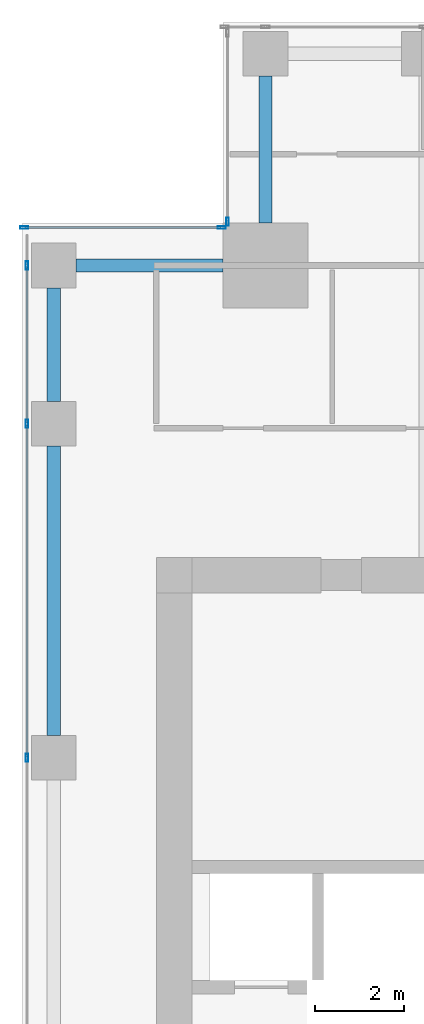
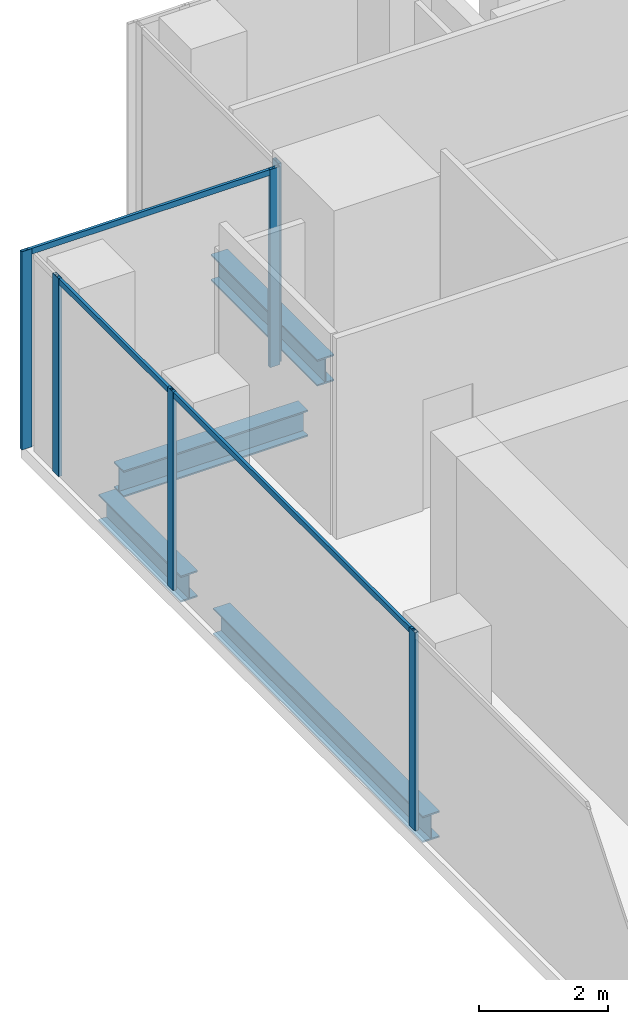
# One storey, part 18 of 37: 9 members, 4 beams, 3 elements without a shape of their own.
"""IFC4 building model written with IfcOpenShell, lengths in metres."""

from ifc_helpers import new_model, si_unit, direction, frame, origin, origin_2d, place, context, subcontext, project, spatial, hollow_rectangle, i_section, extrude, source, transform, mapped, material, material_profile, profile_set, type_object, element, aggregate, save


model = new_model("IFC4")

# Units and contexts
model_context = context("Model", 3, precision=1e-05, world=origin(), true_north=direction((0.0, 1.0)))
body_context = subcontext(model_context, "Body", "Model", "MODEL_VIEW")
ifc_project = project(units=[si_unit("LENGTHUNIT", "METRE"), si_unit("AREAUNIT", "SQUARE_METRE"), si_unit("VOLUMEUNIT", "CUBIC_METRE"), si_unit("PLANEANGLEUNIT", "RADIAN"), si_unit("MASSUNIT", "GRAM", prefix="KILO")], contexts=[model_context])

# Site, building, storey
site_placement = place(None, origin())
site = spatial("IfcSite", under=ifc_project, at=site_placement, CompositionType="ELEMENT")
building_placement = place(site_placement, origin())
building = spatial("IfcBuilding", under=site, at=building_placement, Name="Khomas Fold Tower", CompositionType="ELEMENT")
storey_placement = place(building_placement, frame((0.0, 0.0, 168.699951171875)))
storey = spatial("IfcBuildingStorey", under=building, at=storey_placement, Name="L36", CompositionType="ELEMENT", Elevation=168.699951171875)

# Beams
ifc_material_1 = material(Name="Steel S355", Category="steel")
ifc_material_profile_1 = material_profile(ifc_material_1, i_section(OverallWidth=0.300048828125, OverallDepth=0.5, WebThickness=0.014404296875, FlangeThickness=0.028076171875, at=origin_2d()), Name="HE 500 B")
ifc_profile_set_1 = profile_set([ifc_material_profile_1], Name="Steel S355")
beam_type = type_object("IfcBeamType", Name="HE 500 B spandrel SB3", PredefinedType="SPANDREL", material=ifc_profile_set_1)
shared_shape_1 = source(origin(), body_context, "Body", "SweptSolid", [
    extrude(i_section(OverallWidth=0.300048828125, OverallDepth=0.5, WebThickness=0.014404296875, FlangeThickness=0.028076171875, at=origin_2d()), origin(), (0.0, 0.0, 1.0), 2.550048828125),
])
beam_1_placement = place(storey_placement, frame((3.699951171875, 42.5, -0.5), z_axis=(0.0, 1.0, 0.0), x_axis=(-1.0, 0.0, 0.0)))
element("IfcBeam", 1, at=beam_1_placement, inside=storey, type_object=beam_type, Name="SB3", PredefinedType="SPANDREL", context=body_context, shape_type="MappedRepresentation", body=[
    mapped(shared_shape_1, transform((0.0, 0.0, 0.0))),
])
shared_shape_2 = source(origin(), body_context, "Body", "SweptSolid", [
    extrude(i_section(OverallWidth=0.300048828125, OverallDepth=0.5, WebThickness=0.014404296875, FlangeThickness=0.028076171875, at=origin_2d()), origin(), (0.0, 0.0, 1.0), 6.5),
])
beam_2_placement = place(storey_placement, frame((3.699951171875, 35.0, -0.5), z_axis=(0.0, 1.0, 0.0), x_axis=(-1.0, 0.0, 0.0)))
element("IfcBeam", 2, at=beam_2_placement, inside=storey, type_object=beam_type, Name="SB3", PredefinedType="SPANDREL", context=body_context, shape_type="MappedRepresentation", body=[
    mapped(shared_shape_2, transform((0.0, 0.0, 0.0))),
])
shared_shape_3 = source(origin(), body_context, "Body", "SweptSolid", [
    extrude(i_section(OverallWidth=0.300048828125, OverallDepth=0.5, WebThickness=0.014404296875, FlangeThickness=0.028076171875, at=origin_2d()), origin(), (0.0, 0.0, 1.0), 3.300048828125),
])
for number, where, z_axis, x_axis, name in (
    (3, (8.449951171875, 46.5, -0.5), (0.0, 1.0, 0.0), (-1.0, 0.0, 0.0), "SB3"),
    (4, (4.199951171875, 45.550048828125, -0.5), (1.0, 0.0, 0.0), (0.0, 1.0, 0.0), "SB3"),
):
    element("IfcBeam", number, at=place(storey_placement, frame(where, z_axis=z_axis, x_axis=x_axis)), inside=storey, type_object=beam_type, Name=name, PredefinedType="SPANDREL", context=body_context, shape_type="MappedRepresentation", body=[
        mapped(shared_shape_3, transform((0.0, 0.0, 0.0))),
    ])

# Curtain wall, member
ifc_material_2 = material(Name="Aluminium framed double glazing", Category="aluminium")
curtain_wall_type = type_object("IfcCurtainWallType", Name="SK-Unitised clear-glass wall, office floors CW2", PredefinedType="NOTDEFINED", material=ifc_material_2)
curtain_wall_1_placement = place(storey_placement, origin())
curtain_wall_1 = element("IfcCurtainWall", 5, at=curtain_wall_1_placement, inside=storey, type_object=curtain_wall_type, Name="CW2 corner return L36 16", PredefinedType="NOTDEFINED")
ifc_material_3 = material(Name="Aluminium", Category="aluminium")
ifc_material_profile_2 = material_profile(ifc_material_3, hollow_rectangle(XDim=0.06005859375, YDim=0.179931640625, WallThickness=0.00390625, at=origin_2d()), Name="SK-Unitised clear-glass wall, office floors mullion CW2-M")
ifc_profile_set_2 = profile_set([ifc_material_profile_2], Name="Aluminium")
member_type_1 = type_object("IfcMemberType", Name="SK-Unitised clear-glass wall, office floors mullion CW2-M", PredefinedType="MULLION", material=ifc_profile_set_2)
shared_shape_4 = source(origin(), body_context, "Body", "SweptSolid", [
    extrude(hollow_rectangle(XDim=0.06005859375, YDim=0.179931640625, WallThickness=0.00390625, at=origin_2d()), origin(), (0.0, 0.0, 1.0), 3.75),
])
member_1_placement = place(storey_placement, frame((7.60009765625, 46.530029296875, 0.0), z_axis=(0.0, 0.0, 1.0), x_axis=(1.0, 0.0, 0.0)))
member_1 = element("IfcMember", 6, at=member_1_placement, type_object=member_type_1, Name="CW2 mullion 2", PredefinedType="MULLION", context=body_context, shape_type="MappedRepresentation", body=[
    mapped(shared_shape_4, transform((0.0, 0.0, 0.0))),
])
aggregate(curtain_wall_1, [member_1])

# Curtain wall, members
curtain_wall_2_placement = place(storey_placement, origin())
curtain_wall_2 = element("IfcCurtainWall", 7, at=curtain_wall_2_placement, inside=storey, type_object=curtain_wall_type, Name="CW2 corner return L36 17", PredefinedType="NOTDEFINED")
member_2_placement = place(storey_placement, frame((7.469970703125, 46.39990234375, 0.0), z_axis=(0.0, 0.0, 1.0), x_axis=(0.0, -1.0, 0.0)))
member_2 = element("IfcMember", 8, at=member_2_placement, type_object=member_type_1, Name="CW2 mullion 1", PredefinedType="MULLION", context=body_context, shape_type="MappedRepresentation", body=[
    mapped(shared_shape_4, transform((0.0, 0.0, 0.0))),
])
member_3_placement = place(storey_placement, frame((3.030029296875, 46.39990234375, 0.0), z_axis=(0.0, 0.0, 1.0), x_axis=(0.0, -1.0, 0.0)))
member_3 = element("IfcMember", 9, at=member_3_placement, type_object=member_type_1, Name="CW2 mullion 2", PredefinedType="MULLION", context=body_context, shape_type="MappedRepresentation", body=[
    mapped(shared_shape_4, transform((0.0, 0.0, 0.0))),
])

curtain_wall_3_placement = place(storey_placement, origin())
curtain_wall_3 = element("IfcCurtainWall", 10, at=curtain_wall_3_placement, inside=storey, type_object=curtain_wall_type, Name="CW2 run L36 18-0", PredefinedType="NOTDEFINED")
member_4_placement = place(storey_placement, frame((3.10009765625, 45.550048828125, 0.0), z_axis=(0.0, 0.0, 1.0), x_axis=(1.0, 0.0, 0.0)))
member_4 = element("IfcMember", 11, at=member_4_placement, type_object=member_type_1, Name="CW2 mullion 2", PredefinedType="MULLION", context=body_context, shape_type="MappedRepresentation", body=[
    mapped(shared_shape_4, transform((0.0, 0.0, 0.0))),
])
member_5_placement = place(storey_placement, frame((3.10009765625, 42.0, 0.0), z_axis=(0.0, 0.0, 1.0), x_axis=(1.0, 0.0, 0.0)))
member_5 = element("IfcMember", 12, at=member_5_placement, type_object=member_type_1, Name="CW2 mullion 3", PredefinedType="MULLION", context=body_context, shape_type="MappedRepresentation", body=[
    mapped(shared_shape_4, transform((0.0, 0.0, 0.0))),
])
member_6_placement = place(storey_placement, frame((3.10009765625, 34.5, 0.0), z_axis=(0.0, 0.0, 1.0), x_axis=(1.0, 0.0, 0.0)))
member_6 = element("IfcMember", 13, at=member_6_placement, type_object=member_type_1, Name="CW2 mullion 4", PredefinedType="MULLION", context=body_context, shape_type="MappedRepresentation", body=[
    mapped(shared_shape_4, transform((0.0, 0.0, 0.0))),
])

# Member
ifc_material_4 = material(Name="Aluminium", Category="aluminium")
ifc_material_profile_3 = material_profile(ifc_material_4, hollow_rectangle(XDim=0.050048828125, YDim=0.110107421875, WallThickness=0.00390625, at=origin_2d()), Name="SK-Unitised clear-glass wall, office floors transom CW2-T")
ifc_profile_set_3 = profile_set([ifc_material_profile_3], Name="Aluminium")
member_type_2 = type_object("IfcMemberType", Name="SK-Unitised clear-glass wall, office floors transom CW2-T", PredefinedType="USERDEFINED", material=ifc_profile_set_3)
shared_shape_5 = source(origin(), body_context, "Body", "SweptSolid", [
    extrude(hollow_rectangle(XDim=0.050048828125, YDim=0.110107421875, WallThickness=0.00390625, at=origin_2d()), origin(), (0.0, 0.0, 1.0), 4.3798828125),
])
member_7_placement = place(storey_placement, frame((7.43994140625, 46.39990234375, 3.695068359375), z_axis=(-1.0, 0.0, 0.0), x_axis=(0.0, -1.0, 0.0)))
member_7 = element("IfcMember", 14, at=member_7_placement, type_object=member_type_2, Name="CW2 transom 1", ObjectType="TRANSOM", PredefinedType="USERDEFINED", context=body_context, shape_type="MappedRepresentation", body=[
    mapped(shared_shape_5, transform((0.0, 0.0, 0.0))),
])

aggregate(curtain_wall_2, [member_2, member_3, member_7])

shared_shape_6 = source(origin(), body_context, "Body", "SweptSolid", [
    extrude(hollow_rectangle(XDim=0.050048828125, YDim=0.110107421875, WallThickness=0.00390625, at=origin_2d()), origin(), (0.0, 0.0, 1.0), 3.489990234375),
])
member_8_placement = place(storey_placement, frame((3.10009765625, 45.52001953125, 3.695068359375), z_axis=(0.0, -1.0, 0.0), x_axis=(1.0, 0.0, 0.0)))
member_8 = element("IfcMember", 15, at=member_8_placement, type_object=member_type_2, Name="CW2 transom 2", ObjectType="TRANSOM", PredefinedType="USERDEFINED", context=body_context, shape_type="MappedRepresentation", body=[
    mapped(shared_shape_6, transform((0.0, 0.0, 0.0))),
])

shared_shape_7 = source(origin(), body_context, "Body", "SweptSolid", [
    extrude(hollow_rectangle(XDim=0.050048828125, YDim=0.110107421875, WallThickness=0.00390625, at=origin_2d()), origin(), (0.0, 0.0, 1.0), 7.43994140625),
])
member_9_placement = place(storey_placement, frame((3.10009765625, 41.969970703125, 3.695068359375), z_axis=(0.0, -1.0, 0.0), x_axis=(1.0, 0.0, 0.0)))
member_9 = element("IfcMember", 16, at=member_9_placement, type_object=member_type_2, Name="CW2 transom 3", ObjectType="TRANSOM", PredefinedType="USERDEFINED", context=body_context, shape_type="MappedRepresentation", body=[
    mapped(shared_shape_7, transform((0.0, 0.0, 0.0))),
])

aggregate(curtain_wall_3, [member_4, member_5, member_6, member_8, member_9])

save(model, "model.ifc")
